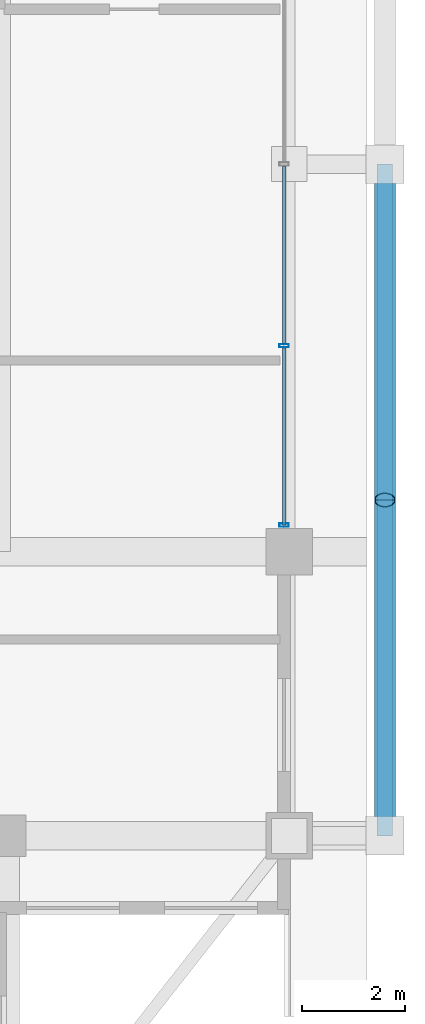
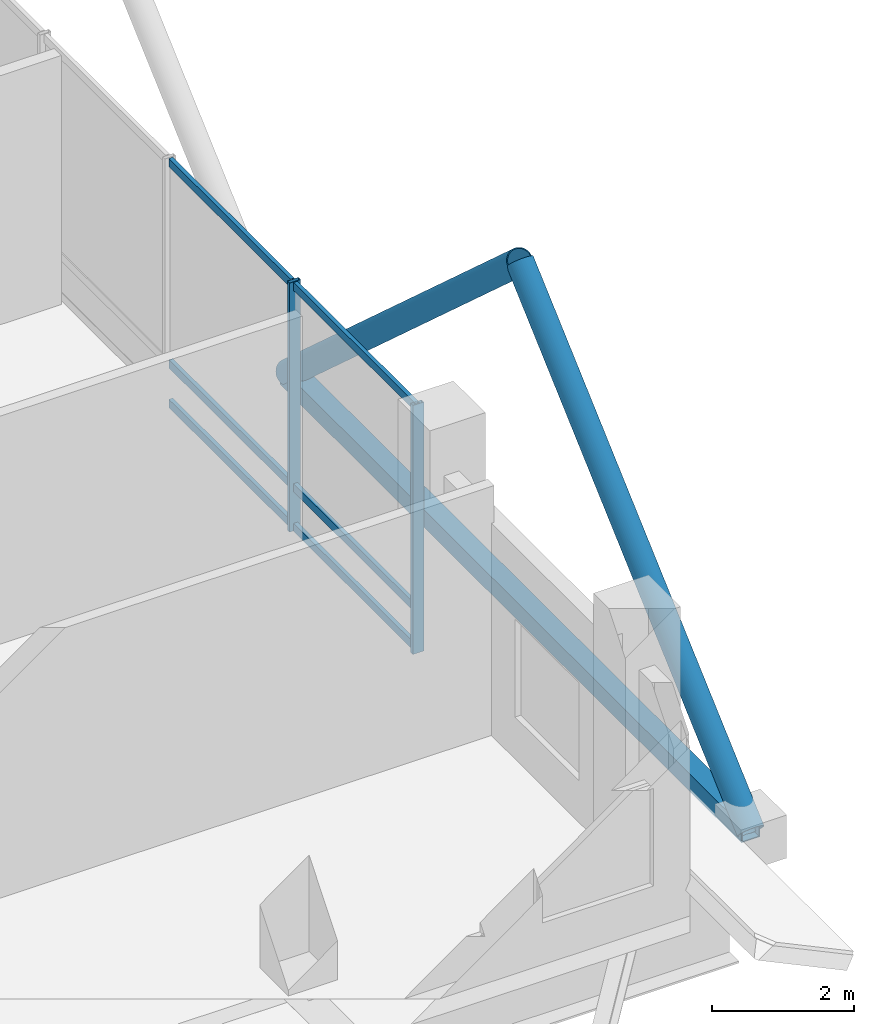
# One storey, part 13 of 27: 11 members, 1 element without a shape of its own.
"""IFC4 building model written with IfcOpenShell, lengths in metres."""

from ifc_helpers import new_model, si_unit, direction, frame, origin, origin_2d, place, context, subcontext, project, spatial, hollow_rectangle, hollow_circle, extrude, material, layer, layer_set, material_profile, profile_set, type_object, element, aggregate, save


model = new_model("IFC4")

# Units and contexts
model_context = context("Model", 3, precision=1e-05, world=origin(), true_north=direction((0.0, 1.0)))
body_context = subcontext(model_context, "Body", "Model", "MODEL_VIEW")
ifc_project = project(units=[si_unit("LENGTHUNIT", "METRE"), si_unit("AREAUNIT", "SQUARE_METRE"), si_unit("VOLUMEUNIT", "CUBIC_METRE"), si_unit("PLANEANGLEUNIT", "RADIAN"), si_unit("MASSUNIT", "GRAM", prefix="KILO")], contexts=[model_context])

# Site, building, storey
site_placement = place(None, origin())
site = spatial("IfcSite", under=ifc_project, at=site_placement, CompositionType="ELEMENT")
building_placement = place(site_placement, origin())
building = spatial("IfcBuilding", under=site, at=building_placement, Name="Barlavira Tower and Art Museum", CompositionType="ELEMENT")
storey_placement = place(building_placement, frame((0.0, 0.0, 217.800048828125)))
storey = spatial("IfcBuildingStorey", under=building, at=storey_placement, Name="L56", CompositionType="ELEMENT", Elevation=217.800048828125)

# Curtain wall, members
ifc_material_1 = material(Name="Low-iron coastal laminated glass", Category="glass")
ifc_layer = layer(ifc_material_1, 0.2099609375, Name="Low-iron coastal laminated glass")
ifc_layer_set = layer_set([ifc_layer], Name="Low-iron coastal laminated glass")
curtain_wall_type = type_object("IfcCurtainWallType", Name="Pale-Metal Unitised Curtain Wall Zone 4", PredefinedType="NOTDEFINED", material=ifc_layer_set)
curtain_wall_placement = place(storey_placement, origin())
curtain_wall = element("IfcCurtainWall", 1, at=curtain_wall_placement, inside=storey, type_object=curtain_wall_type, Name="L56 Curtain Wall CW4-L56-E-B3", PredefinedType="NOTDEFINED")
ifc_material_2 = material(Name="Pale anodised aluminium", Category="aluminium")
ifc_material_profile_1 = material_profile(ifc_material_2, hollow_rectangle(XDim=0.06494140625, YDim=0.179931640625, WallThickness=0.00390625, at=origin_2d()), Name="ALU-MULL 65x180x4")
ifc_profile_set_1 = profile_set([ifc_material_profile_1], Name="Pale anodised aluminium")
member_type_1 = type_object("IfcMemberType", Name="Curtain Wall Pale-Metal Mullion 65x180", PredefinedType="MULLION", material=ifc_profile_set_1)
member_1_placement = place(storey_placement, frame((16.89990234375, -6.985107421875, 0.0), z_axis=(0.0, 0.0, 1.0), x_axis=(0.0, 1.0, 0.0)))
member_1 = element("IfcMember", 2, at=member_1_placement, type_object=member_type_1, Name="CW4-L56-E-B3 Mullion 0", PredefinedType="MULLION", context=body_context, shape_type="SweptSolid", body=[
    extrude(hollow_rectangle(XDim=0.06494140625, YDim=0.179931640625, WallThickness=0.00390625, at=origin_2d()), origin(), (0.0, 0.0, 1.0), 4.280029296875),
])
member_2_placement = place(storey_placement, frame((16.89990234375, -3.514892578125, 0.0), z_axis=(0.0, 0.0, 1.0), x_axis=(0.0, 1.0, 0.0)))
member_2 = element("IfcMember", 3, at=member_2_placement, type_object=member_type_1, Name="CW4-L56-E-B3 Mullion 1", PredefinedType="MULLION", context=body_context, shape_type="SweptSolid", body=[
    extrude(hollow_rectangle(XDim=0.06494140625, YDim=0.179931640625, WallThickness=0.00390625, at=origin_2d()), origin(), (0.0, 0.0, 1.0), 4.280029296875),
])
ifc_material_profile_2 = material_profile(ifc_material_2, hollow_rectangle(XDim=0.06494140625, YDim=0.139892578125, WallThickness=0.00390625, at=origin_2d()), Name="ALU-TRAN 65x140x4")
ifc_profile_set_2 = profile_set([ifc_material_profile_2], Name="Pale anodised aluminium")
member_type_2 = type_object("IfcMemberType", Name="Curtain Wall Pale-Metal Transom 65x140", PredefinedType="USERDEFINED", material=ifc_profile_set_2)
member_3_placement = place(storey_placement, frame((16.89990234375, -6.985107421875, 0.070068359375), z_axis=(0.0, 1.0, 0.0), x_axis=(-1.0, 0.0, 0.0)))
member_3 = element("IfcMember", 4, at=member_3_placement, type_object=member_type_2, Name="CW4-L56-E-B3 Transom 0.1", ObjectType="TRANSOM", PredefinedType="USERDEFINED", context=body_context, shape_type="SweptSolid", body=[
    extrude(hollow_rectangle(XDim=0.06494140625, YDim=0.139892578125, WallThickness=0.00390625, at=origin_2d()), origin(), (0.0, 0.0, 1.0), 3.425048828125),
])
member_4_placement = place(storey_placement, frame((16.89990234375, -6.985107421875, 0.75), z_axis=(0.0, 1.0, 0.0), x_axis=(-1.0, 0.0, 0.0)))
member_4 = element("IfcMember", 5, at=member_4_placement, type_object=member_type_2, Name="CW4-L56-E-B3 Transom 0.2", ObjectType="TRANSOM", PredefinedType="USERDEFINED", context=body_context, shape_type="SweptSolid", body=[
    extrude(hollow_rectangle(XDim=0.06494140625, YDim=0.139892578125, WallThickness=0.00390625, at=origin_2d()), origin(), (0.0, 0.0, 1.0), 3.425048828125),
])
member_5_placement = place(storey_placement, frame((16.89990234375, -6.985107421875, 4.2099609375), z_axis=(0.0, 1.0, 0.0), x_axis=(-1.0, 0.0, 0.0)))
member_5 = element("IfcMember", 6, at=member_5_placement, type_object=member_type_2, Name="CW4-L56-E-B3 Transom 0.3", ObjectType="TRANSOM", PredefinedType="USERDEFINED", context=body_context, shape_type="SweptSolid", body=[
    extrude(hollow_rectangle(XDim=0.06494140625, YDim=0.139892578125, WallThickness=0.00390625, at=origin_2d()), origin(), (0.0, 0.0, 1.0), 3.425048828125),
])
member_6_placement = place(storey_placement, frame((16.89990234375, -3.469970703125, 0.070068359375), z_axis=(0.0, 1.0, 0.0), x_axis=(-1.0, 0.0, 0.0)))
member_6 = element("IfcMember", 7, at=member_6_placement, type_object=member_type_2, Name="CW4-L56-E-B3 Transom 1.1", ObjectType="TRANSOM", PredefinedType="USERDEFINED", context=body_context, shape_type="SweptSolid", body=[
    extrude(hollow_rectangle(XDim=0.06494140625, YDim=0.139892578125, WallThickness=0.00390625, at=origin_2d()), origin(), (0.0, 0.0, 1.0), 3.425048828125),
])
member_7_placement = place(storey_placement, frame((16.89990234375, -3.469970703125, 0.75), z_axis=(0.0, 1.0, 0.0), x_axis=(-1.0, 0.0, 0.0)))
member_7 = element("IfcMember", 8, at=member_7_placement, type_object=member_type_2, Name="CW4-L56-E-B3 Transom 1.2", ObjectType="TRANSOM", PredefinedType="USERDEFINED", context=body_context, shape_type="SweptSolid", body=[
    extrude(hollow_rectangle(XDim=0.06494140625, YDim=0.139892578125, WallThickness=0.00390625, at=origin_2d()), origin(), (0.0, 0.0, 1.0), 3.425048828125),
])
member_8_placement = place(storey_placement, frame((16.89990234375, -3.469970703125, 4.2099609375), z_axis=(0.0, 1.0, 0.0), x_axis=(-1.0, 0.0, 0.0)))
member_8 = element("IfcMember", 9, at=member_8_placement, type_object=member_type_2, Name="CW4-L56-E-B3 Transom 1.3", ObjectType="TRANSOM", PredefinedType="USERDEFINED", context=body_context, shape_type="SweptSolid", body=[
    extrude(hollow_rectangle(XDim=0.06494140625, YDim=0.139892578125, WallThickness=0.00390625, at=origin_2d()), origin(), (0.0, 0.0, 1.0), 3.425048828125),
])
aggregate(curtain_wall, [member_1, member_2, member_3, member_4, member_5, member_6, member_7, member_8])

# Members
ifc_material_3 = material(Name="Steel S355", Category="steel")
ifc_material_profile_3 = material_profile(ifc_material_3, hollow_circle(Radius=0.203125, WallThickness=0.01611328125, at=origin_2d()), Name="CHS 406.4x16.0")
ifc_profile_set_3 = profile_set([ifc_material_profile_3], Name="Steel S355")
member_type_3 = type_object("IfcMemberType", Name="Pale-Metal Exoskeleton Diagrid Tube CHS 406x16 Steel S355", PredefinedType="BRACE", material=ifc_profile_set_3)
for number, where, z_axis, x_axis, name in (
    (10, (18.85009765625, -13.0, -0.1201171875), (0.0, 0.743288593472, 0.668970901321), (-1.0, 0.0, 0.0), "L56 Exoskeleton Diagrid Tube E"),
    (11, (18.85009765625, 0.0, -0.1201171875), (0.0, -0.743288593472, 0.668970901321), (1.0, 0.0, 0.0), "L56 Exoskeleton Diagrid Tube E"),
):
    element("IfcMember", number, at=place(storey_placement, frame(where, z_axis=z_axis, x_axis=x_axis)), inside=storey, type_object=member_type_3, Name=name, PredefinedType="BRACE", context=body_context, shape_type="SweptSolid", body=[
        extrude(hollow_circle(Radius=0.203125, WallThickness=0.01611328125, at=origin_2d()), origin(), (0.0, 0.0, 1.0), 8.744873046875),
    ])
ifc_material_profile_4 = material_profile(ifc_material_3, hollow_rectangle(XDim=0.300048828125, YDim=0.300048828125, WallThickness=0.01611328125, at=origin_2d()), Name="SHS 300x300x16.0")
ifc_profile_set_4 = profile_set([ifc_material_profile_4], Name="Steel S355")
member_type_4 = type_object("IfcMemberType", Name="Pale-Metal Upper Ring Strut SHS 300x300x16 Steel S355", PredefinedType="STRUT", material=ifc_profile_set_4)
member_9_placement = place(storey_placement, frame((18.85009765625, -13.0, -0.1201171875), z_axis=(0.0, 1.0, 0.0), x_axis=(-1.0, 0.0, 0.0)))
element("IfcMember", 12, at=member_9_placement, inside=storey, type_object=member_type_4, Name="L56 Exoskeleton Ring Strut E", PredefinedType="STRUT", context=body_context, shape_type="SweptSolid", body=[
    extrude(hollow_rectangle(XDim=0.300048828125, YDim=0.300048828125, WallThickness=0.01611328125, at=origin_2d()), origin(), (0.0, 0.0, 1.0), 13.0),
])

save(model, "model.ifc")
